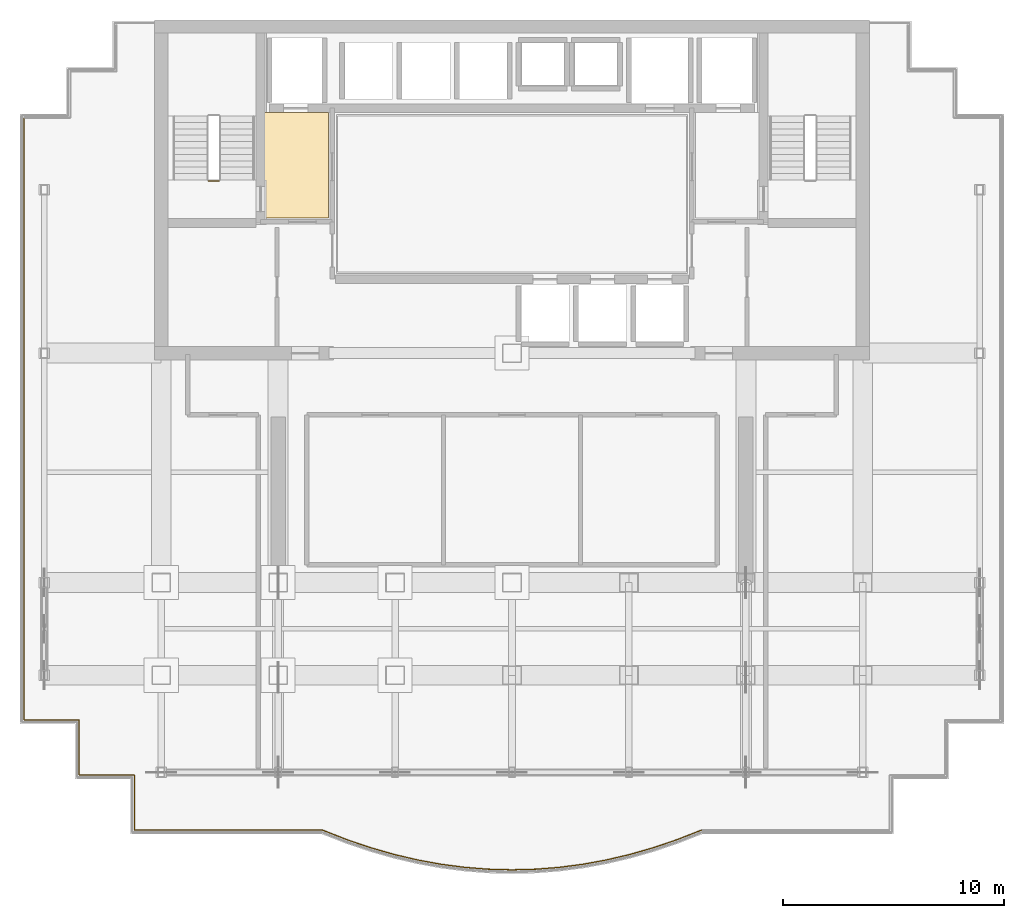
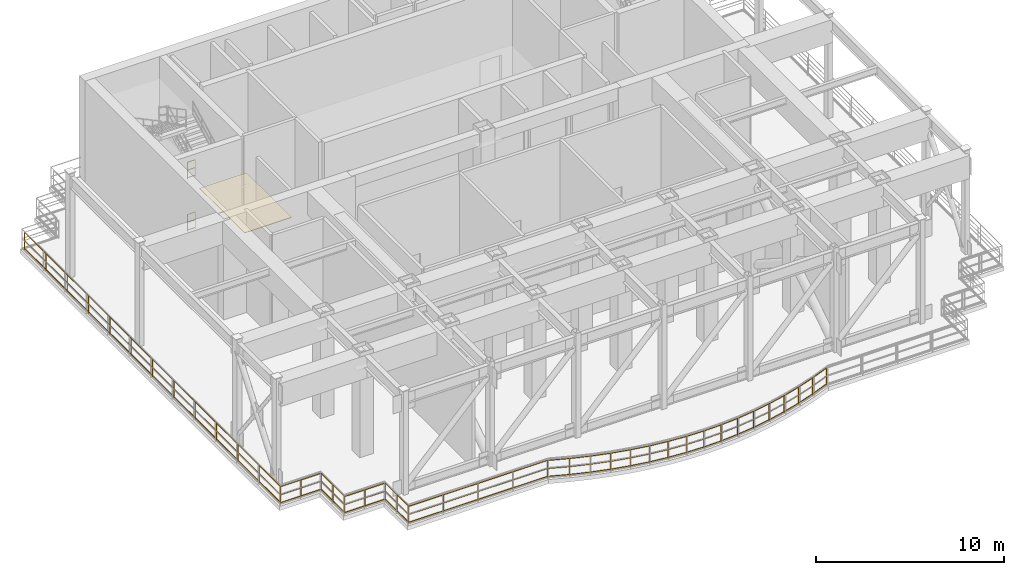
# One storey, part 5 of 7: 24 railings, 1 covering.
"""IFC4 building model written with IfcOpenShell, lengths in metres."""

from ifc_helpers import new_model, si_unit, direction, frame, origin, origin_2d, place, context, subcontext, project, spatial, polyline, circle, outline, extrude, material, layer, layer_set, type_object, element, save


model = new_model("IFC4")

# Units and contexts
model_context = context("Model", 3, precision=1e-05, world=origin(), true_north=direction((0.0, 1.0)))
body_context = subcontext(model_context, "Body", "Model", "MODEL_VIEW")
ifc_project = project(units=[si_unit("LENGTHUNIT", "METRE"), si_unit("AREAUNIT", "SQUARE_METRE"), si_unit("VOLUMEUNIT", "CUBIC_METRE"), si_unit("PLANEANGLEUNIT", "RADIAN"), si_unit("MASSUNIT", "GRAM", prefix="KILO")], contexts=[model_context])

# Site, building, storey
site_placement = place(None, origin())
site = spatial("IfcSite", under=ifc_project, at=site_placement, CompositionType="ELEMENT")
building_placement = place(site_placement, origin())
building = spatial("IfcBuilding", under=site, at=building_placement, Name="Qianlan Lanfeng Residences", CompositionType="ELEMENT")
storey_placement = place(building_placement, frame((0.0, 0.0, 185.39990234375)))
storey = spatial("IfcBuildingStorey", under=building, at=storey_placement, Name="L51", CompositionType="ELEMENT", Elevation=185.39990234375)

# Covering
ifc_material_1 = material(Name="Honed Taitung Granite Stone Flooring", Category="masonry")
ifc_layer = layer(ifc_material_1, 0.030029296875)
ifc_layer_set = layer_set([ifc_layer], Name="Honed Taitung Granite Stone Flooring")
covering_type = type_object("IfcCoveringType", Name="FLR-STN-30", PredefinedType="FLOORING", material=ifc_layer_set)
covering_placement = place(storey_placement, origin())
element("IfcCovering", 1, at=covering_placement, inside=storey, type_object=covering_type, Name="L51 Firefighting Lift Lobby Floor Finish", PredefinedType="FLOORING", context=body_context, shape_type="SweptSolid", body=[
    extrude(outline(polyline([(15.2900390625, 31.320068359375), (18.179931640625, 31.320068359375), (18.179931640625, 36.110107421875), (15.2900390625, 36.110107421875), (15.2900390625, 31.320068359375)])), origin(), (0.0, 0.0, 1.0), 0.030029296875),
])

# Railings
ifc_material_2 = material(Name="Painted Galvanised Steel Guardrail", Category="steel")
railing_type = type_object("IfcRailingType", Name="GR-ST-1120", PredefinedType="GUARDRAIL", material=ifc_material_2)
for number, where, name in (
    (2, (13.219970703125, 33.0, 3.400146484375), "L51 ST-1 stair guard 4"),
    (3, (13.219970703125, 33.0, 0.0), "L51 ST-1 stair guard 8"),
):
    element("IfcRailing", number, at=place(storey_placement, frame(where)), inside=storey, type_object=railing_type, Name=name, PredefinedType="GUARDRAIL", context=body_context, shape_type="SweptSolid", body=[
        extrude(circle(Radius=0.02392578125, at=origin_2d()), frame((0.0, 0.0, 0.083984375), z_axis=(-1.0, 0.0, 0.0), x_axis=(0.0, -1.0, 0.0)), (0.0, 0.0, 1.0), 0.47998046875),
        extrude(circle(Radius=0.02392578125, at=origin_2d()), frame((0.0, 0.0, 0.58251953125), z_axis=(-1.0, 0.0, 0.0), x_axis=(0.0, -1.0, 0.0)), (0.0, 0.0, 1.0), 0.47998046875),
        extrude(circle(Radius=0.02392578125, at=origin_2d()), frame((0.0, 0.0, 1.09619140625), z_axis=(-1.0, 0.0, 0.0), x_axis=(0.0, -1.0, 0.0)), (0.0, 0.0, 1.0), 0.47998046875),
        extrude(circle(Radius=0.02099609375, at=origin_2d()), origin(), (0.0, 0.0, 1.0), 1.072021484375),
        extrude(circle(Radius=0.02099609375, at=origin_2d()), frame((-0.47998046875, 0.0, 0.0)), (0.0, 0.0, 1.0), 1.072021484375),
    ])
railing_1_placement = place(storey_placement, frame((4.3798828125, 8.580078125, 0.0)))
element("IfcRailing", 4, at=railing_1_placement, inside=storey, type_object=railing_type, Name="L51 Wind-Slot Open Perimeter Guardrail 1", PredefinedType="GUARDRAIL", context=body_context, shape_type="SweptSolid", body=[
    extrude(circle(Radius=0.02392578125, at=origin_2d()), frame((0.0, 0.0, 0.083984375), z_axis=(0.0, 1.0, 0.0), x_axis=(-1.0, 0.0, 0.0)), (0.0, 0.0, 1.0), 27.2900390625),
    extrude(circle(Radius=0.02392578125, at=origin_2d()), frame((0.0, 0.0, 0.597900390625), z_axis=(0.0, 1.0, 0.0), x_axis=(-1.0, 0.0, 0.0)), (0.0, 0.0, 1.0), 27.2900390625),
    extrude(circle(Radius=0.02392578125, at=origin_2d()), frame((0.0, 0.0, 1.1259765625), z_axis=(0.0, 1.0, 0.0), x_axis=(-1.0, 0.0, 0.0)), (0.0, 0.0, 1.0), 27.2900390625),
    extrude(circle(Radius=0.02099609375, at=origin_2d()), origin(), (0.0, 0.0, 1.0), 1.101806640625),
    extrude(circle(Radius=0.02099609375, at=origin_2d()), frame((0.0, 2.274169921875, 0.0)), (0.0, 0.0, 1.0), 1.101806640625),
    extrude(circle(Radius=0.02099609375, at=origin_2d()), frame((0.0, 4.54833984375, 0.0)), (0.0, 0.0, 1.0), 1.101806640625),
    extrude(circle(Radius=0.02099609375, at=origin_2d()), frame((0.0, 6.822509765625, 0.0)), (0.0, 0.0, 1.0), 1.101806640625),
    extrude(circle(Radius=0.02099609375, at=origin_2d()), frame((0.0, 9.0966796875, 0.0)), (0.0, 0.0, 1.0), 1.101806640625),
    extrude(circle(Radius=0.02099609375, at=origin_2d()), frame((0.0, 11.370849609375, 0.0)), (0.0, 0.0, 1.0), 1.101806640625),
    extrude(circle(Radius=0.02099609375, at=origin_2d()), frame((0.0, 13.64501953125, 0.0)), (0.0, 0.0, 1.0), 1.101806640625),
    extrude(circle(Radius=0.02099609375, at=origin_2d()), frame((0.0, 15.919189453125, 0.0)), (0.0, 0.0, 1.0), 1.101806640625),
    extrude(circle(Radius=0.02099609375, at=origin_2d()), frame((0.0, 18.193359375, 0.0)), (0.0, 0.0, 1.0), 1.101806640625),
    extrude(circle(Radius=0.02099609375, at=origin_2d()), frame((0.0, 20.467529296875, 0.0)), (0.0, 0.0, 1.0), 1.101806640625),
    extrude(circle(Radius=0.02099609375, at=origin_2d()), frame((0.0, 22.74169921875, 0.0)), (0.0, 0.0, 1.0), 1.101806640625),
    extrude(circle(Radius=0.02099609375, at=origin_2d()), frame((0.0, 25.015869140625, 0.0)), (0.0, 0.0, 1.0), 1.101806640625),
    extrude(circle(Radius=0.02099609375, at=origin_2d()), frame((0.0, 27.2900390625, 0.0)), (0.0, 0.0, 1.0), 1.101806640625),
])
railing_2_placement = place(storey_placement, frame((35.0859375, 3.580078125, 0.0)))
element("IfcRailing", 5, at=railing_2_placement, inside=storey, type_object=railing_type, Name="L51 Wind-Slot Open Perimeter Guardrail 16", PredefinedType="GUARDRAIL", context=body_context, shape_type="SweptSolid", body=[
    extrude(circle(Radius=0.02392578125, at=origin_2d()), frame((0.0, 0.0, 0.083984375), z_axis=(-0.931145699686, -0.364647344645, 0.0), x_axis=(0.364647344645, -0.931145699686, 0.0)), (0.0, 0.0, 1.0), 1.187744140625),
    extrude(circle(Radius=0.02392578125, at=origin_2d()), frame((0.0, 0.0, 0.597900390625), z_axis=(-0.931145699686, -0.364647344645, 0.0), x_axis=(0.364647344645, -0.931145699686, 0.0)), (0.0, 0.0, 1.0), 1.187744140625),
    extrude(circle(Radius=0.02392578125, at=origin_2d()), frame((0.0, 0.0, 1.1259765625), z_axis=(-0.931145699686, -0.364647344645, 0.0), x_axis=(0.364647344645, -0.931145699686, 0.0)), (0.0, 0.0, 1.0), 1.187744140625),
    extrude(circle(Radius=0.02099609375, at=origin_2d()), origin(), (0.0, 0.0, 1.0), 1.101806640625),
    extrude(circle(Radius=0.02099609375, at=origin_2d()), frame((-1.10595703125, -0.43310546875, 0.0)), (0.0, 0.0, 1.0), 1.101806640625),
])
railing_3_placement = place(storey_placement, frame((33.97998046875, 3.14697265625, 0.0)))
element("IfcRailing", 6, at=railing_3_placement, inside=storey, type_object=railing_type, Name="L51 Wind-Slot Open Perimeter Guardrail 17", PredefinedType="GUARDRAIL", context=body_context, shape_type="SweptSolid", body=[
    extrude(circle(Radius=0.02392578125, at=origin_2d()), frame((0.0, 0.0, 0.083984375), z_axis=(-0.946895253563, -0.321542188182, 0.0), x_axis=(0.321542188182, -0.946895253563, 0.0)), (0.0, 0.0, 1.0), 1.129150390625),
    extrude(circle(Radius=0.02392578125, at=origin_2d()), frame((0.0, 0.0, 0.597900390625), z_axis=(-0.946895253563, -0.321542188182, 0.0), x_axis=(0.321542188182, -0.946895253563, 0.0)), (0.0, 0.0, 1.0), 1.129150390625),
    extrude(circle(Radius=0.02392578125, at=origin_2d()), frame((0.0, 0.0, 1.1259765625), z_axis=(-0.946895253563, -0.321542188182, 0.0), x_axis=(0.321542188182, -0.946895253563, 0.0)), (0.0, 0.0, 1.0), 1.129150390625),
    extrude(circle(Radius=0.02099609375, at=origin_2d()), origin(), (0.0, 0.0, 1.0), 1.101806640625),
    extrude(circle(Radius=0.02099609375, at=origin_2d()), frame((-1.069091796875, -0.363037109375, 0.0)), (0.0, 0.0, 1.0), 1.101806640625),
])
railing_4_placement = place(storey_placement, frame((32.910888671875, 2.783935546875, 0.0)))
element("IfcRailing", 7, at=railing_4_placement, inside=storey, type_object=railing_type, Name="L51 Wind-Slot Open Perimeter Guardrail 18", PredefinedType="GUARDRAIL", context=body_context, shape_type="SweptSolid", body=[
    extrude(circle(Radius=0.02392578125, at=origin_2d()), frame((0.0, 0.0, 0.083984375), z_axis=(-0.961166896803, -0.275967745382, 0.0), x_axis=(0.275967745382, -0.961166896803, 0.0)), (0.0, 0.0, 1.0), 1.112060546875),
    extrude(circle(Radius=0.02392578125, at=origin_2d()), frame((0.0, 0.0, 0.597900390625), z_axis=(-0.961166896803, -0.275967745382, 0.0), x_axis=(0.275967745382, -0.961166896803, 0.0)), (0.0, 0.0, 1.0), 1.112060546875),
    extrude(circle(Radius=0.02392578125, at=origin_2d()), frame((0.0, 0.0, 1.1259765625), z_axis=(-0.961166896803, -0.275967745382, 0.0), x_axis=(0.275967745382, -0.961166896803, 0.0)), (0.0, 0.0, 1.0), 1.112060546875),
    extrude(circle(Radius=0.02099609375, at=origin_2d()), origin(), (0.0, 0.0, 1.0), 1.101806640625),
    extrude(circle(Radius=0.02099609375, at=origin_2d()), frame((-1.06884765625, -0.306884765625, 0.0)), (0.0, 0.0, 1.0), 1.101806640625),
])
railing_5_placement = place(storey_placement, frame((31.842041015625, 2.47705078125, 0.0)))
element("IfcRailing", 8, at=railing_5_placement, inside=storey, type_object=railing_type, Name="L51 Wind-Slot Open Perimeter Guardrail 19", PredefinedType="GUARDRAIL", context=body_context, shape_type="SweptSolid", body=[
    extrude(circle(Radius=0.02392578125, at=origin_2d()), frame((0.0, 0.0, 0.083984375), z_axis=(-0.973533668352, -0.228543642627, 0.0), x_axis=(0.228543642627, -0.973533668352, 0.0)), (0.0, 0.0, 1.0), 1.09814453125),
    extrude(circle(Radius=0.02392578125, at=origin_2d()), frame((0.0, 0.0, 0.597900390625), z_axis=(-0.973533668352, -0.228543642627, 0.0), x_axis=(0.228543642627, -0.973533668352, 0.0)), (0.0, 0.0, 1.0), 1.09814453125),
    extrude(circle(Radius=0.02392578125, at=origin_2d()), frame((0.0, 0.0, 1.1259765625), z_axis=(-0.973533668352, -0.228543642627, 0.0), x_axis=(0.228543642627, -0.973533668352, 0.0)), (0.0, 0.0, 1.0), 1.09814453125),
    extrude(circle(Radius=0.02099609375, at=origin_2d()), origin(), (0.0, 0.0, 1.0), 1.101806640625),
    extrude(circle(Radius=0.02099609375, at=origin_2d()), frame((-1.069091796875, -0.2509765625, 0.0)), (0.0, 0.0, 1.0), 1.101806640625),
])
railing_6_placement = place(storey_placement, frame((30.77294921875, 2.22607421875, 0.0)))
element("IfcRailing", 9, at=railing_6_placement, inside=storey, type_object=railing_type, Name="L51 Wind-Slot Open Perimeter Guardrail 20", PredefinedType="GUARDRAIL", context=body_context, shape_type="SweptSolid", body=[
    extrude(circle(Radius=0.02392578125, at=origin_2d()), frame((0.0, 0.0, 0.083984375), z_axis=(-0.983751050364, -0.179537937241, 0.0), x_axis=(0.179537937241, -0.983751050364, 0.0)), (0.0, 0.0, 1.0), 1.08642578125),
    extrude(circle(Radius=0.02392578125, at=origin_2d()), frame((0.0, 0.0, 0.597900390625), z_axis=(-0.983751050364, -0.179537937241, 0.0), x_axis=(0.179537937241, -0.983751050364, 0.0)), (0.0, 0.0, 1.0), 1.08642578125),
    extrude(circle(Radius=0.02392578125, at=origin_2d()), frame((0.0, 0.0, 1.1259765625), z_axis=(-0.983751050364, -0.179537937241, 0.0), x_axis=(0.179537937241, -0.983751050364, 0.0)), (0.0, 0.0, 1.0), 1.08642578125),
    extrude(circle(Radius=0.02099609375, at=origin_2d()), origin(), (0.0, 0.0, 1.0), 1.101806640625),
    extrude(circle(Radius=0.02099609375, at=origin_2d()), frame((-1.06884765625, -0.195068359375, 0.0)), (0.0, 0.0, 1.0), 1.101806640625),
])
railing_7_placement = place(storey_placement, frame((29.7041015625, 2.031005859375, 0.0)))
element("IfcRailing", 10, at=railing_7_placement, inside=storey, type_object=railing_type, Name="L51 Wind-Slot Open Perimeter Guardrail 21", PredefinedType="GUARDRAIL", context=body_context, shape_type="SweptSolid", body=[
    extrude(circle(Radius=0.02392578125, at=origin_2d()), frame((0.0, 0.0, 0.083984375), z_axis=(-0.991532029636, -0.129862366396, 0.0), x_axis=(0.129862366396, -0.991532029636, 0.0)), (0.0, 0.0, 1.0), 1.0771484375),
    extrude(circle(Radius=0.02392578125, at=origin_2d()), frame((0.0, 0.0, 0.597900390625), z_axis=(-0.991532029636, -0.129862366396, 0.0), x_axis=(0.129862366396, -0.991532029636, 0.0)), (0.0, 0.0, 1.0), 1.0771484375),
    extrude(circle(Radius=0.02392578125, at=origin_2d()), frame((0.0, 0.0, 1.1259765625), z_axis=(-0.991532029636, -0.129862366396, 0.0), x_axis=(0.129862366396, -0.991532029636, 0.0)), (0.0, 0.0, 1.0), 1.0771484375),
    extrude(circle(Radius=0.02099609375, at=origin_2d()), origin(), (0.0, 0.0, 1.0), 1.101806640625),
    extrude(circle(Radius=0.02099609375, at=origin_2d()), frame((-1.068115234375, -0.139892578125, 0.0)), (0.0, 0.0, 1.0), 1.101806640625),
])
railing_8_placement = place(storey_placement, frame((28.635986328125, 1.89111328125, 0.0)))
element("IfcRailing", 11, at=railing_8_placement, inside=storey, type_object=railing_type, Name="L51 Wind-Slot Open Perimeter Guardrail 22", PredefinedType="GUARDRAIL", context=body_context, shape_type="SweptSolid", body=[
    extrude(circle(Radius=0.02392578125, at=origin_2d()), frame((0.0, 0.0, 0.083984375), z_axis=(-0.996987002889, -0.077568782833, 0.0), x_axis=(0.077568782833, -0.996987002889, 0.0)), (0.0, 0.0, 1.0), 1.070068359375),
    extrude(circle(Radius=0.02392578125, at=origin_2d()), frame((0.0, 0.0, 0.597900390625), z_axis=(-0.996987002889, -0.077568782833, 0.0), x_axis=(0.077568782833, -0.996987002889, 0.0)), (0.0, 0.0, 1.0), 1.070068359375),
    extrude(circle(Radius=0.02392578125, at=origin_2d()), frame((0.0, 0.0, 1.1259765625), z_axis=(-0.996987002889, -0.077568782833, 0.0), x_axis=(0.077568782833, -0.996987002889, 0.0)), (0.0, 0.0, 1.0), 1.070068359375),
    extrude(circle(Radius=0.02099609375, at=origin_2d()), origin(), (0.0, 0.0, 1.0), 1.101806640625),
    extrude(circle(Radius=0.02099609375, at=origin_2d()), frame((-1.06689453125, -0.0830078125, 0.0)), (0.0, 0.0, 1.0), 1.101806640625),
])
railing_9_placement = place(storey_placement, frame((27.569091796875, 1.80810546875, 0.0)))
element("IfcRailing", 12, at=railing_9_placement, inside=storey, type_object=railing_type, Name="L51 Wind-Slot Open Perimeter Guardrail 23", PredefinedType="GUARDRAIL", context=body_context, shape_type="SweptSolid", body=[
    extrude(circle(Radius=0.02392578125, at=origin_2d()), frame((0.0, 0.0, 0.083984375), z_axis=(-0.99965533973, -0.026252652219, 0.0), x_axis=(0.026252652219, -0.99965533973, 0.0)), (0.0, 0.0, 1.0), 1.069580078125),
    extrude(circle(Radius=0.02392578125, at=origin_2d()), frame((0.0, 0.0, 0.597900390625), z_axis=(-0.99965533973, -0.026252652219, 0.0), x_axis=(0.026252652219, -0.99965533973, 0.0)), (0.0, 0.0, 1.0), 1.069580078125),
    extrude(circle(Radius=0.02392578125, at=origin_2d()), frame((0.0, 0.0, 1.1259765625), z_axis=(-0.99965533973, -0.026252652219, 0.0), x_axis=(0.026252652219, -0.99965533973, 0.0)), (0.0, 0.0, 1.0), 1.069580078125),
    extrude(circle(Radius=0.02099609375, at=origin_2d()), origin(), (0.0, 0.0, 1.0), 1.101806640625),
    extrude(circle(Radius=0.02099609375, at=origin_2d()), frame((-1.069091796875, -0.028076171875, 0.0)), (0.0, 0.0, 1.0), 1.101806640625),
])
railing_10_placement = place(storey_placement, frame((26.5, 1.780029296875, 0.0)))
element("IfcRailing", 13, at=railing_10_placement, inside=storey, type_object=railing_type, Name="L51 Wind-Slot Open Perimeter Guardrail 24", PredefinedType="GUARDRAIL", context=body_context, shape_type="SweptSolid", body=[
    extrude(circle(Radius=0.02392578125, at=origin_2d()), frame((0.0, 0.0, 0.083984375), z_axis=(-0.99965533973, 0.026252652219, 0.0), x_axis=(-0.026252652219, -0.99965533973, 0.0)), (0.0, 0.0, 1.0), 1.069580078125),
    extrude(circle(Radius=0.02392578125, at=origin_2d()), frame((0.0, 0.0, 0.597900390625), z_axis=(-0.99965533973, 0.026252652219, 0.0), x_axis=(-0.026252652219, -0.99965533973, 0.0)), (0.0, 0.0, 1.0), 1.069580078125),
    extrude(circle(Radius=0.02392578125, at=origin_2d()), frame((0.0, 0.0, 1.1259765625), z_axis=(-0.99965533973, 0.026252652219, 0.0), x_axis=(-0.026252652219, -0.99965533973, 0.0)), (0.0, 0.0, 1.0), 1.069580078125),
    extrude(circle(Radius=0.02099609375, at=origin_2d()), origin(), (0.0, 0.0, 1.0), 1.101806640625),
    extrude(circle(Radius=0.02099609375, at=origin_2d()), frame((-1.069091796875, 0.028076171875, 0.0)), (0.0, 0.0, 1.0), 1.101806640625),
])
railing_11_placement = place(storey_placement, frame((25.430908203125, 1.80810546875, 0.0)))
element("IfcRailing", 14, at=railing_11_placement, inside=storey, type_object=railing_type, Name="L51 Wind-Slot Open Perimeter Guardrail 25", PredefinedType="GUARDRAIL", context=body_context, shape_type="SweptSolid", body=[
    extrude(circle(Radius=0.02392578125, at=origin_2d()), frame((0.0, 0.0, 0.083984375), z_axis=(-0.996916021363, 0.078475769187, 0.0), x_axis=(-0.078475769187, -0.996916021363, 0.0)), (0.0, 0.0, 1.0), 1.0703125),
    extrude(circle(Radius=0.02392578125, at=origin_2d()), frame((0.0, 0.0, 0.597900390625), z_axis=(-0.996916021363, 0.078475769187, 0.0), x_axis=(-0.078475769187, -0.996916021363, 0.0)), (0.0, 0.0, 1.0), 1.0703125),
    extrude(circle(Radius=0.02392578125, at=origin_2d()), frame((0.0, 0.0, 1.1259765625), z_axis=(-0.996916021363, 0.078475769187, 0.0), x_axis=(-0.078475769187, -0.996916021363, 0.0)), (0.0, 0.0, 1.0), 1.0703125),
    extrude(circle(Radius=0.02099609375, at=origin_2d()), origin(), (0.0, 0.0, 1.0), 1.101806640625),
    extrude(circle(Radius=0.02099609375, at=origin_2d()), frame((-1.06689453125, 0.083984375, 0.0)), (0.0, 0.0, 1.0), 1.101806640625),
])
railing_12_placement = place(storey_placement, frame((24.364013671875, 1.89208984375, 0.0)))
element("IfcRailing", 15, at=railing_12_placement, inside=storey, type_object=railing_type, Name="L51 Wind-Slot Open Perimeter Guardrail 26", PredefinedType="GUARDRAIL", context=body_context, shape_type="SweptSolid", body=[
    extrude(circle(Radius=0.02392578125, at=origin_2d()), frame((0.0, 0.0, 0.083984375), z_axis=(-0.991663432126, 0.128855102279, 0.0), x_axis=(-0.128855102279, -0.991663432126, 0.0)), (0.0, 0.0, 1.0), 1.078125),
    extrude(circle(Radius=0.02392578125, at=origin_2d()), frame((0.0, 0.0, 0.597900390625), z_axis=(-0.991663432126, 0.128855102279, 0.0), x_axis=(-0.128855102279, -0.991663432126, 0.0)), (0.0, 0.0, 1.0), 1.078125),
    extrude(circle(Radius=0.02392578125, at=origin_2d()), frame((0.0, 0.0, 1.1259765625), z_axis=(-0.991663432126, 0.128855102279, 0.0), x_axis=(-0.128855102279, -0.991663432126, 0.0)), (0.0, 0.0, 1.0), 1.078125),
    extrude(circle(Radius=0.02099609375, at=origin_2d()), origin(), (0.0, 0.0, 1.0), 1.101806640625),
    extrude(circle(Radius=0.02099609375, at=origin_2d()), frame((-1.069091796875, 0.138916015625, 0.0)), (0.0, 0.0, 1.0), 1.101806640625),
])
railing_13_placement = place(storey_placement, frame((23.294921875, 2.031005859375, 0.0)))
element("IfcRailing", 16, at=railing_13_placement, inside=storey, type_object=railing_type, Name="L51 Wind-Slot Open Perimeter Guardrail 27", PredefinedType="GUARDRAIL", context=body_context, shape_type="SweptSolid", body=[
    extrude(circle(Radius=0.02392578125, at=origin_2d()), frame((0.0, 0.0, 0.083984375), z_axis=(-0.983722039664, 0.179696824346, 0.0), x_axis=(-0.179696824346, -0.983722039664, 0.0)), (0.0, 0.0, 1.0), 1.08544921875),
    extrude(circle(Radius=0.02392578125, at=origin_2d()), frame((0.0, 0.0, 0.597900390625), z_axis=(-0.983722039664, 0.179696824346, 0.0), x_axis=(-0.179696824346, -0.983722039664, 0.0)), (0.0, 0.0, 1.0), 1.08544921875),
    extrude(circle(Radius=0.02392578125, at=origin_2d()), frame((0.0, 0.0, 1.1259765625), z_axis=(-0.983722039664, 0.179696824346, 0.0), x_axis=(-0.179696824346, -0.983722039664, 0.0)), (0.0, 0.0, 1.0), 1.08544921875),
    extrude(circle(Radius=0.02099609375, at=origin_2d()), origin(), (0.0, 0.0, 1.0), 1.101806640625),
    extrude(circle(Radius=0.02099609375, at=origin_2d()), frame((-1.06787109375, 0.195068359375, 0.0)), (0.0, 0.0, 1.0), 1.101806640625),
])
railing_14_placement = place(storey_placement, frame((22.22705078125, 2.22607421875, 0.0)))
element("IfcRailing", 17, at=railing_14_placement, inside=storey, type_object=railing_type, Name="L51 Wind-Slot Open Perimeter Guardrail 28", PredefinedType="GUARDRAIL", context=body_context, shape_type="SweptSolid", body=[
    extrude(circle(Radius=0.02392578125, at=origin_2d()), frame((0.0, 0.0, 0.083984375), z_axis=(-0.973580056882, 0.228345949914, 0.0), x_axis=(-0.228345949914, -0.973580056882, 0.0)), (0.0, 0.0, 1.0), 1.09912109375),
    extrude(circle(Radius=0.02392578125, at=origin_2d()), frame((0.0, 0.0, 0.597900390625), z_axis=(-0.973580056882, 0.228345949914, 0.0), x_axis=(-0.228345949914, -0.973580056882, 0.0)), (0.0, 0.0, 1.0), 1.09912109375),
    extrude(circle(Radius=0.02392578125, at=origin_2d()), frame((0.0, 0.0, 1.1259765625), z_axis=(-0.973580056882, 0.228345949914, 0.0), x_axis=(-0.228345949914, -0.973580056882, 0.0)), (0.0, 0.0, 1.0), 1.09912109375),
    extrude(circle(Radius=0.02099609375, at=origin_2d()), origin(), (0.0, 0.0, 1.0), 1.101806640625),
    extrude(circle(Radius=0.02099609375, at=origin_2d()), frame((-1.070068359375, 0.2509765625, 0.0)), (0.0, 0.0, 1.0), 1.101806640625),
])
railing_15_placement = place(storey_placement, frame((21.156982421875, 2.47705078125, 0.0)))
element("IfcRailing", 18, at=railing_15_placement, inside=storey, type_object=railing_type, Name="L51 Wind-Slot Open Perimeter Guardrail 29", PredefinedType="GUARDRAIL", context=body_context, shape_type="SweptSolid", body=[
    extrude(circle(Radius=0.02392578125, at=origin_2d()), frame((0.0, 0.0, 0.083984375), z_axis=(-0.961099931503, 0.276200871948, 0.0), x_axis=(-0.276200871948, -0.961099931503, 0.0)), (0.0, 0.0, 1.0), 1.111083984375),
    extrude(circle(Radius=0.02392578125, at=origin_2d()), frame((0.0, 0.0, 0.597900390625), z_axis=(-0.961099931503, 0.276200871948, 0.0), x_axis=(-0.276200871948, -0.961099931503, 0.0)), (0.0, 0.0, 1.0), 1.111083984375),
    extrude(circle(Radius=0.02392578125, at=origin_2d()), frame((0.0, 0.0, 1.1259765625), z_axis=(-0.961099931503, 0.276200871948, 0.0), x_axis=(-0.276200871948, -0.961099931503, 0.0)), (0.0, 0.0, 1.0), 1.111083984375),
    extrude(circle(Radius=0.02099609375, at=origin_2d()), origin(), (0.0, 0.0, 1.0), 1.101806640625),
    extrude(circle(Radius=0.02099609375, at=origin_2d()), frame((-1.06787109375, 0.306884765625, 0.0)), (0.0, 0.0, 1.0), 1.101806640625),
])
railing_16_placement = place(storey_placement, frame((20.089111328125, 2.783935546875, 0.0)))
element("IfcRailing", 19, at=railing_16_placement, inside=storey, type_object=railing_type, Name="L51 Wind-Slot Open Perimeter Guardrail 30", PredefinedType="GUARDRAIL", context=body_context, shape_type="SweptSolid", body=[
    extrude(circle(Radius=0.02392578125, at=origin_2d()), frame((0.0, 0.0, 0.083984375), z_axis=(-0.946984569634, 0.321279045185, 0.0), x_axis=(-0.321279045185, -0.946984569634, 0.0)), (0.0, 0.0, 1.0), 1.1298828125),
    extrude(circle(Radius=0.02392578125, at=origin_2d()), frame((0.0, 0.0, 0.597900390625), z_axis=(-0.946984569634, 0.321279045185, 0.0), x_axis=(-0.321279045185, -0.946984569634, 0.0)), (0.0, 0.0, 1.0), 1.1298828125),
    extrude(circle(Radius=0.02392578125, at=origin_2d()), frame((0.0, 0.0, 1.1259765625), z_axis=(-0.946984569634, 0.321279045185, 0.0), x_axis=(-0.321279045185, -0.946984569634, 0.0)), (0.0, 0.0, 1.0), 1.1298828125),
    extrude(circle(Radius=0.02099609375, at=origin_2d()), origin(), (0.0, 0.0, 1.0), 1.101806640625),
    extrude(circle(Radius=0.02099609375, at=origin_2d()), frame((-1.070068359375, 0.363037109375, 0.0)), (0.0, 0.0, 1.0), 1.101806640625),
])
railing_17_placement = place(storey_placement, frame((19.01904296875, 3.14697265625, 0.0)))
element("IfcRailing", 20, at=railing_17_placement, inside=storey, type_object=railing_type, Name="L51 Wind-Slot Open Perimeter Guardrail 31", PredefinedType="GUARDRAIL", context=body_context, shape_type="SweptSolid", body=[
    extrude(circle(Radius=0.02392578125, at=origin_2d()), frame((0.0, 0.0, 0.083984375), z_axis=(-0.931036247489, 0.364926713002, 0.0), x_axis=(-0.364926713002, -0.931036247489, 0.0)), (0.0, 0.0, 1.0), 1.186767578125),
    extrude(circle(Radius=0.02392578125, at=origin_2d()), frame((0.0, 0.0, 0.597900390625), z_axis=(-0.931036247489, 0.364926713002, 0.0), x_axis=(-0.364926713002, -0.931036247489, 0.0)), (0.0, 0.0, 1.0), 1.186767578125),
    extrude(circle(Radius=0.02392578125, at=origin_2d()), frame((0.0, 0.0, 1.1259765625), z_axis=(-0.931036247489, 0.364926713002, 0.0), x_axis=(-0.364926713002, -0.931036247489, 0.0)), (0.0, 0.0, 1.0), 1.186767578125),
    extrude(circle(Radius=0.02099609375, at=origin_2d()), origin(), (0.0, 0.0, 1.0), 1.101806640625),
    extrude(circle(Radius=0.02099609375, at=origin_2d()), frame((-1.10498046875, 0.43310546875, 0.0)), (0.0, 0.0, 1.0), 1.101806640625),
])
railing_18_placement = place(storey_placement, frame((17.9140625, 3.580078125, 0.0)))
element("IfcRailing", 21, at=railing_18_placement, inside=storey, type_object=railing_type, Name="L51 Wind-Slot Open Perimeter Guardrail 32", PredefinedType="GUARDRAIL", context=body_context, shape_type="SweptSolid", body=[
    extrude(circle(Radius=0.02392578125, at=origin_2d()), frame((0.0, 0.0, 0.083984375), z_axis=(-1.0, 0.0, 0.0), x_axis=(0.0, -1.0, 0.0)), (0.0, 0.0, 1.0), 8.5341796875),
    extrude(circle(Radius=0.02392578125, at=origin_2d()), frame((0.0, 0.0, 0.597900390625), z_axis=(-1.0, 0.0, 0.0), x_axis=(0.0, -1.0, 0.0)), (0.0, 0.0, 1.0), 8.5341796875),
    extrude(circle(Radius=0.02392578125, at=origin_2d()), frame((0.0, 0.0, 1.1259765625), z_axis=(-1.0, 0.0, 0.0), x_axis=(0.0, -1.0, 0.0)), (0.0, 0.0, 1.0), 8.5341796875),
    extrude(circle(Radius=0.02099609375, at=origin_2d()), origin(), (0.0, 0.0, 1.0), 1.101806640625),
    extrude(circle(Radius=0.02099609375, at=origin_2d()), frame((-2.133544921875, 0.0, 0.0)), (0.0, 0.0, 1.0), 1.101806640625),
    extrude(circle(Radius=0.02099609375, at=origin_2d()), frame((-4.26708984375, 0.0, 0.0)), (0.0, 0.0, 1.0), 1.101806640625),
    extrude(circle(Radius=0.02099609375, at=origin_2d()), frame((-6.400634765625, 0.0, 0.0)), (0.0, 0.0, 1.0), 1.101806640625),
    extrude(circle(Radius=0.02099609375, at=origin_2d()), frame((-8.5341796875, 0.0, 0.0)), (0.0, 0.0, 1.0), 1.101806640625),
])
railing_19_placement = place(storey_placement, frame((9.3798828125, 3.580078125, 0.0)))
element("IfcRailing", 22, at=railing_19_placement, inside=storey, type_object=railing_type, Name="L51 Wind-Slot Open Perimeter Guardrail 33", PredefinedType="GUARDRAIL", context=body_context, shape_type="SweptSolid", body=[
    extrude(circle(Radius=0.02392578125, at=origin_2d()), frame((0.0, 0.0, 0.083984375), z_axis=(0.0, 1.0, 0.0), x_axis=(-1.0, 0.0, 0.0)), (0.0, 0.0, 1.0), 2.5),
    extrude(circle(Radius=0.02392578125, at=origin_2d()), frame((0.0, 0.0, 0.597900390625), z_axis=(0.0, 1.0, 0.0), x_axis=(-1.0, 0.0, 0.0)), (0.0, 0.0, 1.0), 2.5),
    extrude(circle(Radius=0.02392578125, at=origin_2d()), frame((0.0, 0.0, 1.1259765625), z_axis=(0.0, 1.0, 0.0), x_axis=(-1.0, 0.0, 0.0)), (0.0, 0.0, 1.0), 2.5),
    extrude(circle(Radius=0.02099609375, at=origin_2d()), origin(), (0.0, 0.0, 1.0), 1.101806640625),
    extrude(circle(Radius=0.02099609375, at=origin_2d()), frame((0.0, 1.25, 0.0)), (0.0, 0.0, 1.0), 1.101806640625),
    extrude(circle(Radius=0.02099609375, at=origin_2d()), frame((0.0, 2.5, 0.0)), (0.0, 0.0, 1.0), 1.101806640625),
])
railing_20_placement = place(storey_placement, frame((9.3798828125, 6.080078125, 0.0)))
element("IfcRailing", 23, at=railing_20_placement, inside=storey, type_object=railing_type, Name="L51 Wind-Slot Open Perimeter Guardrail 34", PredefinedType="GUARDRAIL", context=body_context, shape_type="SweptSolid", body=[
    extrude(circle(Radius=0.02392578125, at=origin_2d()), frame((0.0, 0.0, 0.083984375), z_axis=(-1.0, 0.0, 0.0), x_axis=(0.0, -1.0, 0.0)), (0.0, 0.0, 1.0), 2.5),
    extrude(circle(Radius=0.02392578125, at=origin_2d()), frame((0.0, 0.0, 0.597900390625), z_axis=(-1.0, 0.0, 0.0), x_axis=(0.0, -1.0, 0.0)), (0.0, 0.0, 1.0), 2.5),
    extrude(circle(Radius=0.02392578125, at=origin_2d()), frame((0.0, 0.0, 1.1259765625), z_axis=(-1.0, 0.0, 0.0), x_axis=(0.0, -1.0, 0.0)), (0.0, 0.0, 1.0), 2.5),
    extrude(circle(Radius=0.02099609375, at=origin_2d()), origin(), (0.0, 0.0, 1.0), 1.101806640625),
    extrude(circle(Radius=0.02099609375, at=origin_2d()), frame((-1.25, 0.0, 0.0)), (0.0, 0.0, 1.0), 1.101806640625),
    extrude(circle(Radius=0.02099609375, at=origin_2d()), frame((-2.5, 0.0, 0.0)), (0.0, 0.0, 1.0), 1.101806640625),
])
railing_21_placement = place(storey_placement, frame((6.8798828125, 6.080078125, 0.0)))
element("IfcRailing", 24, at=railing_21_placement, inside=storey, type_object=railing_type, Name="L51 Wind-Slot Open Perimeter Guardrail 35", PredefinedType="GUARDRAIL", context=body_context, shape_type="SweptSolid", body=[
    extrude(circle(Radius=0.02392578125, at=origin_2d()), frame((0.0, 0.0, 0.083984375), z_axis=(0.0, 1.0, 0.0), x_axis=(-1.0, 0.0, 0.0)), (0.0, 0.0, 1.0), 2.5),
    extrude(circle(Radius=0.02392578125, at=origin_2d()), frame((0.0, 0.0, 0.597900390625), z_axis=(0.0, 1.0, 0.0), x_axis=(-1.0, 0.0, 0.0)), (0.0, 0.0, 1.0), 2.5),
    extrude(circle(Radius=0.02392578125, at=origin_2d()), frame((0.0, 0.0, 1.1259765625), z_axis=(0.0, 1.0, 0.0), x_axis=(-1.0, 0.0, 0.0)), (0.0, 0.0, 1.0), 2.5),
    extrude(circle(Radius=0.02099609375, at=origin_2d()), origin(), (0.0, 0.0, 1.0), 1.101806640625),
    extrude(circle(Radius=0.02099609375, at=origin_2d()), frame((0.0, 1.25, 0.0)), (0.0, 0.0, 1.0), 1.101806640625),
    extrude(circle(Radius=0.02099609375, at=origin_2d()), frame((0.0, 2.5, 0.0)), (0.0, 0.0, 1.0), 1.101806640625),
])
railing_22_placement = place(storey_placement, frame((6.8798828125, 8.580078125, 0.0)))
element("IfcRailing", 25, at=railing_22_placement, inside=storey, type_object=railing_type, Name="L51 Wind-Slot Open Perimeter Guardrail 36", PredefinedType="GUARDRAIL", context=body_context, shape_type="SweptSolid", body=[
    extrude(circle(Radius=0.02392578125, at=origin_2d()), frame((0.0, 0.0, 0.083984375), z_axis=(-1.0, 0.0, 0.0), x_axis=(0.0, -1.0, 0.0)), (0.0, 0.0, 1.0), 2.5),
    extrude(circle(Radius=0.02392578125, at=origin_2d()), frame((0.0, 0.0, 0.597900390625), z_axis=(-1.0, 0.0, 0.0), x_axis=(0.0, -1.0, 0.0)), (0.0, 0.0, 1.0), 2.5),
    extrude(circle(Radius=0.02392578125, at=origin_2d()), frame((0.0, 0.0, 1.1259765625), z_axis=(-1.0, 0.0, 0.0), x_axis=(0.0, -1.0, 0.0)), (0.0, 0.0, 1.0), 2.5),
    extrude(circle(Radius=0.02099609375, at=origin_2d()), origin(), (0.0, 0.0, 1.0), 1.101806640625),
    extrude(circle(Radius=0.02099609375, at=origin_2d()), frame((-1.25, 0.0, 0.0)), (0.0, 0.0, 1.0), 1.101806640625),
    extrude(circle(Radius=0.02099609375, at=origin_2d()), frame((-2.5, 0.0, 0.0)), (0.0, 0.0, 1.0), 1.101806640625),
])

save(model, "model.ifc")
